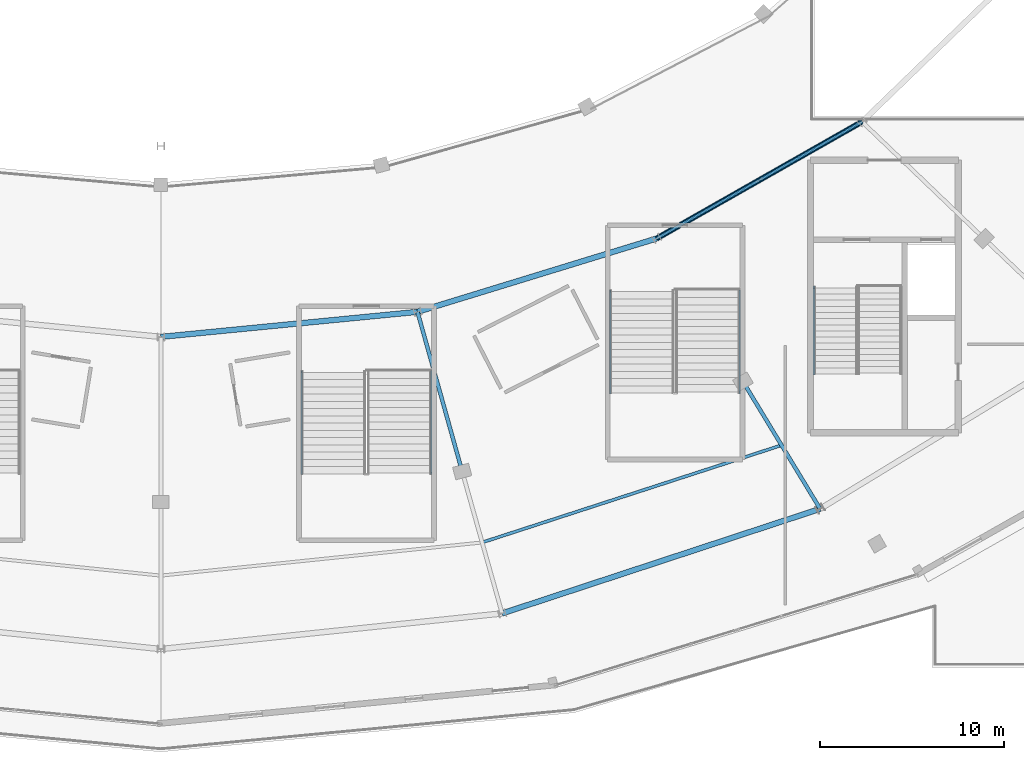
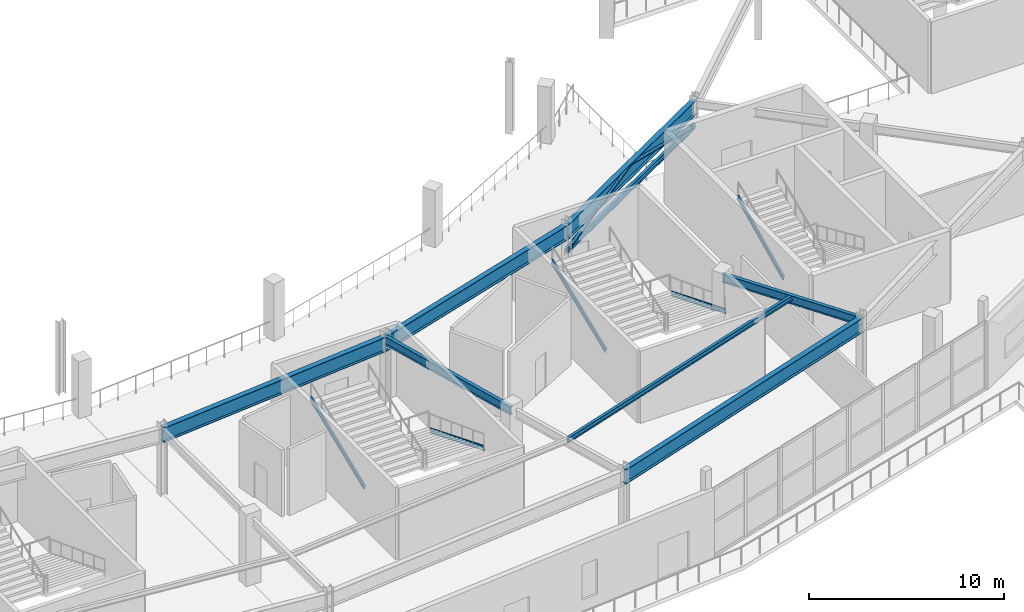
# One storey, part 37 of 123: 8 beams, 7 members.
"""IFC4 building model written with IfcOpenShell, lengths in metres."""

from ifc_helpers import new_model, si_unit, direction, frame, origin, origin_2d, place, context, subcontext, project, spatial, hollow_circle, i_section, extrude, material, material_profile, profile_set, type_object, element, save


model = new_model("IFC4")

# Units and contexts
model_context = context("Model", 3, precision=1e-05, world=origin(), true_north=direction((0.0, 1.0)))
body_context = subcontext(model_context, "Body", "Model", "MODEL_VIEW")
ifc_project = project(units=[si_unit("LENGTHUNIT", "METRE"), si_unit("AREAUNIT", "SQUARE_METRE"), si_unit("VOLUMEUNIT", "CUBIC_METRE"), si_unit("PLANEANGLEUNIT", "RADIAN"), si_unit("MASSUNIT", "GRAM", prefix="KILO")], contexts=[model_context])

# Site, building, storey
site_placement = place(None, origin())
site = spatial("IfcSite", under=ifc_project, at=site_placement, CompositionType="ELEMENT")
building_placement = place(site_placement, origin())
building = spatial("IfcBuilding", under=site, at=building_placement, Name="Kalgoora Escarpment Arena", CompositionType="ELEMENT")
storey_placement = place(building_placement, frame((0.0, 0.0, 9.89990234375)))
storey = spatial("IfcBuildingStorey", under=building, at=storey_placement, Name="L02", CompositionType="ELEMENT", Elevation=9.89990234375)

# Beams
ifc_material_1 = material(Name="Structural steel AS/NZS 3679 (300 MPa)", Category="steel")
ifc_material_profile_1 = material_profile(ifc_material_1, i_section(OverallWidth=0.166015625, OverallDepth=0.306884765625, WebThickness=0.006591796875, FlangeThickness=0.01171875, at=origin_2d()))
ifc_profile_set_1 = profile_set([ifc_material_profile_1], Name="Structural steel AS/NZS 3679 (300 MPa)")
beam_type_1 = type_object("IfcBeamType", Name="BM-BEAM-310UB46.2", PredefinedType="BEAM", material=ifc_profile_set_1)
beam_1_placement = place(storey_placement, frame((109.896240234375, 12.805908203125, 4.026611328125), z_axis=(0.951103123122, 0.308873516489, 0.0), x_axis=(-0.308873516489, 0.951103123122, 0.0)))
element("IfcBeam", 1, at=beam_1_placement, inside=storey, type_object=beam_type_1, Name="L02 Concourse secondary ring beam 310UB46.2", PredefinedType="BEAM", context=body_context, shape_type="SweptSolid", body=[
    extrude(i_section(OverallWidth=0.166015625, OverallDepth=0.306884765625, WebThickness=0.006591796875, FlangeThickness=0.01171875, at=origin_2d()), origin(), (0.0, 0.0, 1.0), 17.141845703125),
])
ifc_material_2 = material(Name="Structural steel AS/NZS 3679 (300 MPa)", Category="steel")
ifc_material_profile_2 = material_profile(ifc_material_2, i_section(OverallWidth=0.1708984375, OverallDepth=0.35205078125, WebThickness=0.0068359375, FlangeThickness=0.009765625, at=origin_2d()))
ifc_profile_set_2 = profile_set([ifc_material_profile_2], Name="Structural steel AS/NZS 3679 (300 MPa)")
beam_type_2 = type_object("IfcBeamType", Name="BM-BEAM-360UB44.7", PredefinedType="BEAM", material=ifc_profile_set_2)
beam_2_placement = place(storey_placement, frame((119.39990234375, 29.35888671875, 2.524169921875), z_axis=(0.869373733104, 0.494155149917, 0.0), x_axis=(-0.494155149917, 0.869373733104, 0.0)))
element("IfcBeam", 2, at=beam_2_placement, inside=storey, type_object=beam_type_2, Name="L02 Portal brace collector beam 360UB44.7", PredefinedType="BEAM", context=body_context, shape_type="SweptSolid", body=[
    extrude(i_section(OverallWidth=0.1708984375, OverallDepth=0.35205078125, WebThickness=0.0068359375, FlangeThickness=0.009765625, at=origin_2d()), origin(), (0.0, 0.0, 1.0), 12.8642578125),
])
ifc_material_3 = material(Name="Structural steel AS/NZS 3679 (300 MPa)", Category="steel")
ifc_material_profile_3 = material_profile(ifc_material_3, i_section(OverallWidth=0.208984375, OverallDepth=0.528076171875, WebThickness=0.009521484375, FlangeThickness=0.01318359375, at=origin_2d()))
ifc_profile_set_3 = profile_set([ifc_material_profile_3], Name="Structural steel AS/NZS 3679 (300 MPa)")
beam_type_3 = type_object("IfcBeamType", Name="BM-GIRDER-530UB82.0", PredefinedType="USERDEFINED", material=ifc_profile_set_3)
beam_3_placement = place(storey_placement, frame((106.376220703125, 25.363037109375, 3.916015625), z_axis=(0.269498512386, -0.963000805722, 0.0), x_axis=(0.963000805722, 0.269498512386, 0.0)))
element("IfcBeam", 3, at=beam_3_placement, inside=storey, type_object=beam_type_3, Name="L02 Radial concourse girder 530UB82.0", ObjectType="GIRDER", PredefinedType="USERDEFINED", context=body_context, shape_type="SweptSolid", body=[
    extrude(i_section(OverallWidth=0.208984375, OverallDepth=0.528076171875, WebThickness=0.009521484375, FlangeThickness=0.01318359375, at=origin_2d()), origin(), (0.0, 0.0, 1.0), 9.02734375),
])
beam_4_placement = place(storey_placement, frame((124.10009765625, 21.564697265625, 3.916015625), z_axis=(0.518407902139, -0.85513346736, 0.0), x_axis=(0.85513346736, 0.518407902139, 0.0)))
element("IfcBeam", 4, at=beam_4_placement, inside=storey, type_object=beam_type_3, Name="L02 Radial concourse girder 530UB82.0", ObjectType="GIRDER", PredefinedType="USERDEFINED", context=body_context, shape_type="SweptSolid", body=[
    extrude(i_section(OverallWidth=0.208984375, OverallDepth=0.528076171875, WebThickness=0.009521484375, FlangeThickness=0.01318359375, at=origin_2d()), origin(), (0.0, 0.0, 1.0), 8.1015625),
])
ifc_material_4 = material(Name="Structural steel Grade 350 (350 MPa)", Category="steel")
ifc_material_profile_4 = material_profile(ifc_material_4, i_section(OverallWidth=0.300048828125, OverallDepth=0.909912109375, WebThickness=0.011962890625, FlangeThickness=0.028076171875, at=origin_2d()))
ifc_profile_set_4 = profile_set([ifc_material_profile_4], Name="Structural steel Grade 350 (350 MPa)")
beam_type_4 = type_object("IfcBeamType", Name="BM-GIRDER-900WB218", PredefinedType="USERDEFINED", material=ifc_profile_set_4)
beam_5_placement = place(storey_placement, frame((92.39990234375, 24.0, 3.72509765625), z_axis=(0.995278116569, 0.097064260569, 0.0), x_axis=(-0.097064260569, 0.995278116569, 0.0)))
element("IfcBeam", 5, at=beam_5_placement, inside=storey, type_object=beam_type_4, Name="L02 Circumferential concourse girder RMAIN 900WB218", ObjectType="GIRDER", PredefinedType="USERDEFINED", context=body_context, shape_type="SweptSolid", body=[
    extrude(i_section(OverallWidth=0.300048828125, OverallDepth=0.909912109375, WebThickness=0.011962890625, FlangeThickness=0.028076171875, at=origin_2d()), origin(), (0.0, 0.0, 1.0), 14.042724609375),
])
beam_6_placement = place(storey_placement, frame((106.376220703125, 25.363037109375, 3.72509765625), z_axis=(0.956014681671, 0.293318817038, 0.0), x_axis=(-0.293318817038, 0.956014681671, 0.0)))
element("IfcBeam", 6, at=beam_6_placement, inside=storey, type_object=beam_type_4, Name="L02 Circumferential concourse girder RMAIN 900WB218", ObjectType="GIRDER", PredefinedType="USERDEFINED", context=body_context, shape_type="SweptSolid", body=[
    extrude(i_section(OverallWidth=0.300048828125, OverallDepth=0.909912109375, WebThickness=0.011962890625, FlangeThickness=0.028076171875, at=origin_2d()), origin(), (0.0, 0.0, 1.0), 13.622802734375),
])
beam_7_placement = place(storey_placement, frame((119.39990234375, 29.35888671875, 3.72509765625), z_axis=(0.869373733104, 0.494155149917, 0.0), x_axis=(-0.494155149917, 0.869373733104, 0.0)))
element("IfcBeam", 7, at=beam_7_placement, inside=storey, type_object=beam_type_4, Name="L02 Circumferential concourse girder RMAIN 900WB218", ObjectType="GIRDER", PredefinedType="USERDEFINED", context=body_context, shape_type="SweptSolid", body=[
    extrude(i_section(OverallWidth=0.300048828125, OverallDepth=0.909912109375, WebThickness=0.011962890625, FlangeThickness=0.028076171875, at=origin_2d()), origin(), (0.0, 0.0, 1.0), 12.8642578125),
])
ifc_material_5 = material(Name="Structural steel Grade 350 (350 MPa)", Category="steel")
ifc_material_profile_5 = material_profile(ifc_material_5, i_section(OverallWidth=0.300048828125, OverallDepth=0.909912109375, WebThickness=0.011962890625, FlangeThickness=0.028076171875, at=origin_2d()))
ifc_profile_set_5 = profile_set([ifc_material_profile_5], Name="Structural steel Grade 350 (350 MPa)")
beam_type_5 = type_object("IfcBeamType", Name="BM-SPANDREL-900WB218", PredefinedType="SPANDREL", material=ifc_profile_set_5)
beam_8_placement = place(storey_placement, frame((110.983154296875, 8.942138671875, 3.72509765625), z_axis=(0.949954555117, 0.312388129115, 0.0), x_axis=(-0.312388129115, 0.949954555117, 0.0)))
element("IfcBeam", 8, at=beam_8_placement, inside=storey, type_object=beam_type_5, Name="L02 Circumferential concourse girder RCONC2 900WB218", PredefinedType="SPANDREL", context=body_context, shape_type="SweptSolid", body=[
    extrude(i_section(OverallWidth=0.300048828125, OverallDepth=0.909912109375, WebThickness=0.011962890625, FlangeThickness=0.028076171875, at=origin_2d()), origin(), (0.0, 0.0, 1.0), 18.229248046875),
])

# Members
ifc_material_6 = material(Name="Structural steel C350 (350 MPa)", Category="steel")
ifc_material_profile_6 = material_profile(ifc_material_6, hollow_circle(Radius=0.109619140625, WallThickness=0.00830078125, at=origin_2d()))
ifc_profile_set_6 = profile_set([ifc_material_profile_6], Name="Structural steel C350 (350 MPa)")
member_type_1 = type_object("IfcMemberType", Name="MEM-BRACE-CHS219", PredefinedType="BRACE", material=ifc_profile_set_6)
member_1_placement = place(storey_placement, frame((119.39990234375, 29.35888671875, 2.52001953125), z_axis=(0.845779734252, 0.480733741988, 0.231412424997), x_axis=(-0.494146996878, 0.86937836727, 0.0)))
element("IfcMember", 9, at=member_1_placement, inside=storey, type_object=member_type_1, Name="L02 concentric lateral brace R21-1", PredefinedType="BRACE", context=body_context, shape_type="SweptSolid", body=[
    extrude(hollow_circle(Radius=0.109619140625, WallThickness=0.00830078125, at=origin_2d()), origin(), (0.0, 0.0, 1.0), 6.61181640625),
])
member_2_placement = place(storey_placement, frame((130.583740234375, 35.7158203125, 2.52001953125), z_axis=(-0.845769222656, -0.480748756102, 0.231419652392), x_axis=(0.494163303182, -0.869369098708, 0.0)))
element("IfcMember", 10, at=member_2_placement, inside=storey, type_object=member_type_1, Name="L02 concentric lateral brace R21-2", PredefinedType="BRACE", context=body_context, shape_type="SweptSolid", body=[
    extrude(hollow_circle(Radius=0.109619140625, WallThickness=0.00830078125, at=origin_2d()), origin(), (0.0, 0.0, 1.0), 6.611572265625),
])
ifc_material_7 = material(Name="Structural steel AS/NZS 3679 (300 MPa)", Category="steel")
ifc_material_profile_7 = material_profile(ifc_material_7, i_section(OverallWidth=0.090087890625, OverallDepth=0.300048828125, WebThickness=0.008056640625, FlangeThickness=0.01611328125, at=origin_2d()))
ifc_profile_set_7 = profile_set([ifc_material_profile_7], Name="Structural steel AS/NZS 3679 (300 MPa)")
member_type_2 = type_object("IfcMemberType", Name="MEM-STRINGER-PFC", PredefinedType="STRINGER", material=ifc_profile_set_7)
member_3_placement = place(storey_placement, frame((127.969970703125, 21.989990234375, 2.210205078125), z_axis=(0.0, 0.902682652253, 0.430306901317), x_axis=(-1.0, 0.0, 0.0)))
element("IfcMember", 11, at=member_3_placement, inside=storey, type_object=member_type_2, Name="ST06 L02 steel stair stringer 2", PredefinedType="STRINGER", context=body_context, shape_type="SweptSolid", body=[
    extrude(i_section(OverallWidth=0.090087890625, OverallDepth=0.300048828125, WebThickness=0.008056640625, FlangeThickness=0.01611328125, at=origin_2d()), origin(), (0.0, 0.0, 1.0), 5.228759765625),
])
for number, where, z_axis, x_axis, name in (
    (12, (107.1298828125, 22.110107421875, -0.039794921875), (0.0, -0.926975796404, 0.375121144273), (1.0, 0.0, 0.0), "ST15 L02 steel stair stringer 1"),
    (13, (100.070068359375, 16.550048828125, 2.210205078125), (0.0, 0.926975796404, 0.375121144273), (-1.0, 0.0, 0.0), "ST15 L02 steel stair stringer 2"),
    (14, (123.929931640625, 26.510009765625, -0.039794921875), (0.0, -0.926975796404, 0.375121144273), (1.0, 0.0, 0.0), "ST16 L02 steel stair stringer 1"),
    (15, (116.8701171875, 20.949951171875, 2.210205078125), (0.0, 0.926975796404, 0.375121144273), (-1.0, 0.0, 0.0), "ST16 L02 steel stair stringer 2"),
):
    element("IfcMember", number, at=place(storey_placement, frame(where, z_axis=z_axis, x_axis=x_axis)), inside=storey, type_object=member_type_2, Name=name, PredefinedType="STRINGER", context=body_context, shape_type="SweptSolid", body=[
        extrude(i_section(OverallWidth=0.090087890625, OverallDepth=0.300048828125, WebThickness=0.008056640625, FlangeThickness=0.01611328125, at=origin_2d()), origin(), (0.0, 0.0, 1.0), 5.998046875),
    ])

save(model, "model.ifc")
